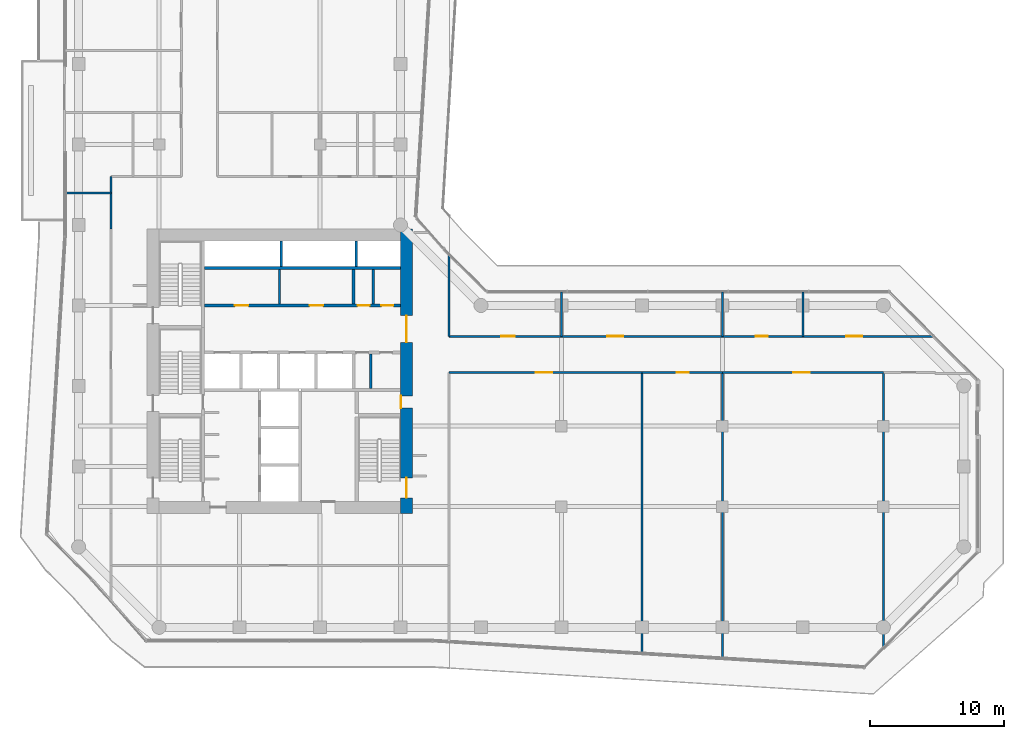
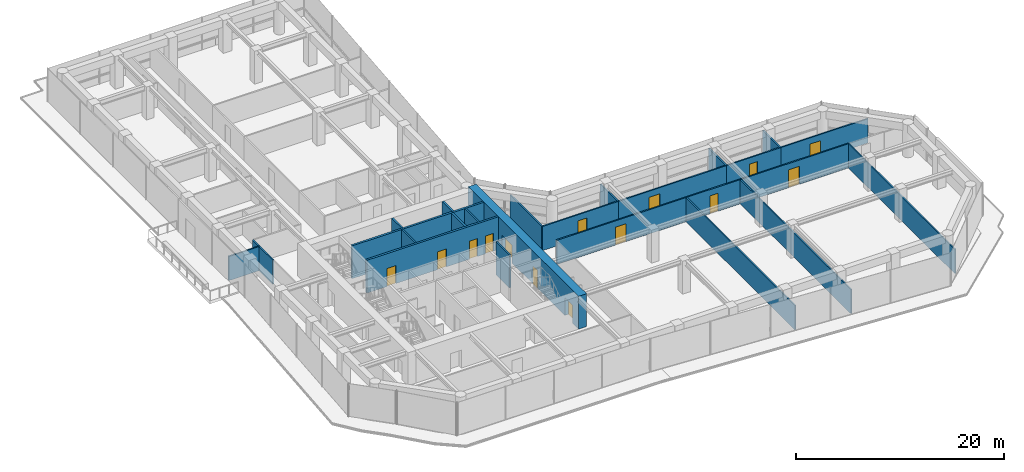
# One storey, part 22 of 27: 25 walls, 14 doors, 14 openings.
"""IFC4 building model written with IfcOpenShell, lengths in metres."""

from ifc_helpers import new_model, si_unit, direction, frame, frame_2d, origin, place, context, subcontext, project, spatial, rectangle, extrude, material, layer, layer_set, type_object, element, fill, save


model = new_model("IFC4")

# Units and contexts
model_context = context("Model", 3, precision=1e-05, world=origin(), true_north=direction((0.0, 1.0)))
body_context = subcontext(model_context, "Body", "Model", "MODEL_VIEW")
ifc_project = project(units=[si_unit("LENGTHUNIT", "METRE"), si_unit("AREAUNIT", "SQUARE_METRE"), si_unit("VOLUMEUNIT", "CUBIC_METRE"), si_unit("PLANEANGLEUNIT", "RADIAN"), si_unit("MASSUNIT", "GRAM", prefix="KILO")], contexts=[model_context])

# Site, building, storey
site_placement = place(None, origin())
site = spatial("IfcSite", under=ifc_project, at=site_placement, CompositionType="ELEMENT")
building_placement = place(site_placement, origin())
building = spatial("IfcBuilding", under=site, at=building_placement, Name="Welwitschia Terrace Campus", CompositionType="ELEMENT")
storey_placement = place(building_placement, frame((0.0, 0.0, 37.39990234375)))
storey = spatial("IfcBuildingStorey", under=building, at=storey_placement, Name="L08", CompositionType="ELEMENT", Elevation=37.39990234375)

# Walls
ifc_material_1 = material(Name="Concrete C32/40", Category="concrete")
ifc_layer_1 = layer(ifc_material_1, 0.175048828125)
ifc_layer_set_1 = layer_set([ifc_layer_1], Name="Concrete C32/40")
wall_type_1 = type_object("IfcWallType", Name="Core partition 175 Concrete C32/40", PredefinedType="PARTITIONING", material=ifc_layer_set_1)
for number, where, z_axis, x_axis, name in (
    (1, (14.97509765625, 20.10009765625, 0.0), (0.0, 0.0, 1.0), (0.0, 1.0, 0.0), "Core partition"),
    (2, (21.7900390625, 13.800048828125, 0.0), (0.0, 0.0, 1.0), (0.0, 1.0, 0.0), "Core partition"),
    (3, (21.9599609375, 20.10009765625, 0.0), (0.0, 0.0, 1.0), (0.0, 1.0, 0.0), "Core partition"),
):
    element("IfcWall", number, at=place(storey_placement, frame(where, z_axis=z_axis, x_axis=x_axis)), inside=storey, type_object=wall_type_1, Name=name, PredefinedType="PARTITIONING", context=body_context, shape_type="SweptSolid", body=[
        extrude(rectangle(XDim=2.599853515625, YDim=0.175048828125, at=frame_2d((1.2998046875, 0.0))), origin(), (0.0, 0.0, 1.0), 3.85009765625),
    ])

# Wall, openings, doors
ifc_material_2 = material(Name="Concrete C32/40", Category="concrete")
ifc_layer_2 = layer(ifc_material_2, 0.22509765625)
ifc_layer_set_2 = layer_set([ifc_layer_2], Name="Concrete C32/40")
wall_type_2 = type_object("IfcWallType", Name="Core partition 225 Concrete C32/40", PredefinedType="PARTITIONING", material=ifc_layer_set_2)
wall_1_placement = place(storey_placement, frame((24.0, 20.0, 0.0), z_axis=(0.0, 0.0, 1.0), x_axis=(-1.0, 0.0, 0.0)))
wall_1 = element("IfcWall", 4, at=wall_1_placement, inside=storey, type_object=wall_type_2, Name="Core partition", PredefinedType="PARTITIONING", context=body_context, shape_type="SweptSolid", body=[
    extrude(rectangle(XDim=14.60009765625, YDim=0.22509765625, at=frame_2d((7.300048828125, 0.0))), origin(), (0.0, 0.0, 1.0), 3.85009765625),
])
opening_1_placement = place(wall_1_placement, frame((11.35009765625, 0.0, 0.0)))
opening_1 = element("IfcOpeningElement", 5, at=opening_1_placement, cuts=wall_1, Name="Opening DR10", PredefinedType="OPENING", context=body_context, shape_type="SweptSolid", body=[
    extrude(rectangle(XDim=1.0, YDim=2.10009765625, at=frame_2d((0.5, 1.050048828125))), frame((0.0, 0.12255859375, 0.0), z_axis=(0.0, -1.0, 0.0), x_axis=(1.0, 0.0, 0.0)), (0.0, 0.0, 1.0), 0.2451171875),
])
opening_2_placement = place(wall_1_placement, frame((5.77490234375, 0.0, 0.0)))
opening_2 = element("IfcOpeningElement", 6, at=opening_2_placement, cuts=wall_1, Name="Opening DR10", PredefinedType="OPENING", context=body_context, shape_type="SweptSolid", body=[
    extrude(rectangle(XDim=1.0, YDim=2.10009765625, at=frame_2d((0.5, 1.050048828125))), frame((0.0, 0.12255859375, 0.0), z_axis=(0.0, -1.0, 0.0), x_axis=(1.0, 0.0, 0.0)), (0.0, 0.0, 1.0), 0.2451171875),
])
opening_3_placement = place(wall_1_placement, frame((2.3076171875, 0.0, 0.0)))
opening_3 = element("IfcOpeningElement", 7, at=opening_3_placement, cuts=wall_1, Name="Opening DR09", PredefinedType="OPENING", context=body_context, shape_type="SweptSolid", body=[
    extrude(rectangle(XDim=0.89990234375, YDim=2.10009765625, at=frame_2d((0.449951171875, 1.050048828125))), frame((0.0, 0.12255859375, 0.0), z_axis=(0.0, -1.0, 0.0), x_axis=(1.0, 0.0, 0.0)), (0.0, 0.0, 1.0), 0.2451171875),
])
opening_4_placement = place(wall_1_placement, frame((0.532470703125, 0.0, 0.0)))
opening_4 = element("IfcOpeningElement", 8, at=opening_4_placement, cuts=wall_1, Name="Opening DR09", PredefinedType="OPENING", context=body_context, shape_type="SweptSolid", body=[
    extrude(rectangle(XDim=0.89990234375, YDim=2.10009765625, at=frame_2d((0.449951171875, 1.050048828125))), frame((0.0, 0.12255859375, 0.0), z_axis=(0.0, -1.0, 0.0), x_axis=(1.0, 0.0, 0.0)), (0.0, 0.0, 1.0), 0.2451171875),
])
ifc_material_3 = material(Name="Steel S275", Category="steel")
door_type_1 = type_object("IfcDoorType", Name="Core door DR09", OperationType="SINGLE_SWING_LEFT", PredefinedType="DOOR", material=ifc_material_3)
door_1_placement = place(opening_3_placement, origin())
door_1 = element("IfcDoor", 9, at=door_1_placement, inside=storey, type_object=door_type_1, Name="Door EH1-D", OperationType="SINGLE_SWING_LEFT", OverallHeight=2.10009765625, OverallWidth=0.89990234375, PredefinedType="DOOR", context=body_context, shape_type="SweptSolid", body=[
    extrude(rectangle(XDim=0.89990234375, YDim=2.10009765625, at=frame_2d((0.449951171875, 1.050048828125))), frame((0.0, 0.02490234375, 0.0), z_axis=(0.0, -1.0, 0.0), x_axis=(1.0, 0.0, 0.0)), (0.0, 0.0, 1.0), 0.050048828125),
])
fill(opening_3, door_1)
door_2_placement = place(opening_4_placement, origin())
door_2 = element("IfcDoor", 10, at=door_2_placement, inside=storey, type_object=door_type_1, Name="Door EH2-D", OperationType="SINGLE_SWING_LEFT", OverallHeight=2.10009765625, OverallWidth=0.89990234375, PredefinedType="DOOR", context=body_context, shape_type="SweptSolid", body=[
    extrude(rectangle(XDim=0.89990234375, YDim=2.10009765625, at=frame_2d((0.449951171875, 1.050048828125))), frame((0.0, 0.02490234375, 0.0), z_axis=(0.0, -1.0, 0.0), x_axis=(1.0, 0.0, 0.0)), (0.0, 0.0, 1.0), 0.050048828125),
])
fill(opening_4, door_2)
ifc_material_4 = material(Name="Steel S275", Category="steel")
door_type_2 = type_object("IfcDoorType", Name="Core door DR10", OperationType="SINGLE_SWING_LEFT", PredefinedType="DOOR", material=ifc_material_4)
door_3_placement = place(opening_1_placement, origin())
door_3 = element("IfcDoor", 11, at=door_3_placement, inside=storey, type_object=door_type_2, Name="Door BAYH1-D", OperationType="SINGLE_SWING_RIGHT", OverallHeight=2.10009765625, OverallWidth=1.0, PredefinedType="DOOR", context=body_context, shape_type="SweptSolid", body=[
    extrude(rectangle(XDim=1.0, YDim=2.10009765625, at=frame_2d((0.5, 1.050048828125))), frame((0.0, 0.02490234375, 0.0), z_axis=(0.0, -1.0, 0.0), x_axis=(1.0, 0.0, 0.0)), (0.0, 0.0, 1.0), 0.050048828125),
])
fill(opening_1, door_3)
door_4_placement = place(opening_2_placement, origin())
door_4 = element("IfcDoor", 12, at=door_4_placement, inside=storey, type_object=door_type_2, Name="Door BAYH2-D", OperationType="SINGLE_SWING_LEFT", OverallHeight=2.10009765625, OverallWidth=1.0, PredefinedType="DOOR", context=body_context, shape_type="SweptSolid", body=[
    extrude(rectangle(XDim=1.0, YDim=2.10009765625, at=frame_2d((0.5, 1.050048828125))), frame((0.0, 0.02490234375, 0.0), z_axis=(0.0, -1.0, 0.0), x_axis=(1.0, 0.0, 0.0)), (0.0, 0.0, 1.0), 0.050048828125),
])
fill(opening_2, door_4)

# Walls
wall_2_placement = place(storey_placement, frame((9.39990234375, 22.800048828125, 0.0), z_axis=(0.0, 0.0, 1.0), x_axis=(1.0, 0.0, 0.0)))
element("IfcWall", 13, at=wall_2_placement, inside=storey, type_object=wall_type_2, Name="Shaft wall", PredefinedType="PARTITIONING", context=body_context, shape_type="SweptSolid", body=[
    extrude(rectangle(XDim=14.60009765625, YDim=0.22509765625, at=frame_2d((7.300048828125, 0.0))), origin(), (0.0, 0.0, 1.0), 3.85009765625),
])
wall_3_placement = place(storey_placement, frame((20.5, 20.10009765625, 0.0), z_axis=(0.0, 0.0, 1.0), x_axis=(0.0, 1.0, 0.0)))
element("IfcWall", 14, at=wall_3_placement, inside=storey, type_object=wall_type_2, Name="Core partition", PredefinedType="PARTITIONING", context=body_context, shape_type="SweptSolid", body=[
    extrude(rectangle(XDim=2.599853515625, YDim=0.22509765625, at=frame_2d((1.2998046875, 0.0))), origin(), (0.0, 0.0, 1.0), 3.85009765625),
])
ifc_material_5 = material(Name="Concrete C50/60", Category="concrete")
ifc_layer_3 = layer(ifc_material_5, 0.199951171875)
ifc_layer_set_3 = layer_set([ifc_layer_3], Name="Concrete C50/60")
wall_type_3 = type_object("IfcWallType", Name="Core wall 200 Concrete C50/60", PredefinedType="SHEAR", material=ifc_layer_set_3)
for number, where, z_axis, x_axis, name in (
    (15, (15.10009765625, 22.89990234375, 0.0), (0.0, 0.0, 1.0), (0.0, 1.0, 0.0), "Core wall"),
    (16, (20.699951171875, 22.89990234375, 0.0), (0.0, 0.0, 1.0), (0.0, 1.0, 0.0), "Core wall"),
):
    element("IfcWall", number, at=place(storey_placement, frame(where, z_axis=z_axis, x_axis=x_axis)), inside=storey, type_object=wall_type_3, Name=name, PredefinedType="SHEAR", context=body_context, shape_type="SweptSolid", body=[
        extrude(rectangle(XDim=1.900146484375, YDim=0.199951171875, at=frame_2d((0.9501953125, 0.0))), origin(), (0.0, 0.0, 1.0), 3.85009765625),
    ])

# Wall, openings, doors
ifc_material_6 = material(Name="Concrete C70/85", Category="concrete")
ifc_layer_4 = layer(ifc_material_6, 0.89990234375)
ifc_layer_set_4 = layer_set([ifc_layer_4], Name="Concrete C70/85")
wall_type_4 = type_object("IfcWallType", Name="Core wall 900 Concrete C70/85", PredefinedType="SHEAR", material=ifc_layer_set_4)
wall_4_placement = place(storey_placement, frame((24.449951171875, 25.699951171875, 0.0), z_axis=(0.0, 0.0, 1.0), x_axis=(0.0, -1.0, 0.0)))
wall_4 = element("IfcWall", 17, at=wall_4_placement, inside=storey, type_object=wall_type_4, Name="Core outer wall", PredefinedType="SHEAR", context=body_context, shape_type="SweptSolid", body=[
    extrude(rectangle(XDim=21.199951171875, YDim=0.89990234375, at=frame_2d((10.60009765625, 0.0))), origin(), (0.0, 0.0, 1.0), 3.85009765625),
])
opening_5_placement = place(wall_4_placement, frame((18.550048828125, 0.0, 0.0)))
opening_5 = element("IfcOpeningElement", 18, at=opening_5_placement, cuts=wall_4, Name="Opening DS15", PredefinedType="OPENING", context=body_context, shape_type="SweptSolid", body=[
    extrude(rectangle(XDim=1.5, YDim=2.10009765625, at=frame_2d((0.75, 1.050048828125))), frame((0.0, 0.4599609375, 0.0), z_axis=(0.0, -1.0, 0.0), x_axis=(1.0, 0.0, 0.0)), (0.0, 0.0, 1.0), 0.919921875),
])
opening_6_placement = place(wall_4_placement, frame((12.449951171875, 0.0, 0.0)))
opening_6 = element("IfcOpeningElement", 19, at=opening_6_placement, cuts=wall_4, Name="Opening DR09", PredefinedType="OPENING", context=body_context, shape_type="SweptSolid", body=[
    extrude(rectangle(XDim=0.89990234375, YDim=2.10009765625, at=frame_2d((0.449951171875, 1.050048828125))), frame((0.0, 0.4599609375, 0.0), z_axis=(0.0, -1.0, 0.0), x_axis=(1.0, 0.0, 0.0)), (0.0, 0.0, 1.0), 0.919921875),
])
opening_7_placement = place(wall_4_placement, frame((6.449951171875, 0.0, 0.0)))
opening_7 = element("IfcOpeningElement", 20, at=opening_7_placement, cuts=wall_4, Name="Opening DL20", PredefinedType="OPENING", context=body_context, shape_type="SweptSolid", body=[
    extrude(rectangle(XDim=2.0, YDim=2.10009765625, at=frame_2d((1.0, 1.050048828125))), frame((0.0, 0.4599609375, 0.0), z_axis=(0.0, -1.0, 0.0), x_axis=(1.0, 0.0, 0.0)), (0.0, 0.0, 1.0), 0.919921875),
])
ifc_material_7 = material(Name="Steel S275", Category="steel")
door_type_3 = type_object("IfcDoorType", Name="Core door DL20", OperationType="DOUBLE_DOOR_SINGLE_SWING", PredefinedType="DOOR", material=ifc_material_7)
door_5_placement = place(opening_7_placement, origin())
door_5 = element("IfcDoor", 21, at=door_5_placement, inside=storey, type_object=door_type_3, Name="Door LOBBY-out", OperationType="DOUBLE_DOOR_SINGLE_SWING", OverallHeight=2.10009765625, OverallWidth=2.0, PredefinedType="DOOR", context=body_context, shape_type="SweptSolid", body=[
    extrude(rectangle(XDim=2.0, YDim=2.10009765625, at=frame_2d((1.0, 1.050048828125))), frame((0.0, 0.02490234375, 0.0), z_axis=(0.0, -1.0, 0.0), x_axis=(1.0, 0.0, 0.0)), (0.0, 0.0, 1.0), 0.050048828125),
])
fill(opening_7, door_5)
door_6_placement = place(opening_6_placement, origin())
door_6 = element("IfcDoor", 22, at=door_6_placement, inside=storey, type_object=door_type_1, Name="Door F1B-out", OperationType="SINGLE_SWING_RIGHT", OverallHeight=2.10009765625, OverallWidth=0.89990234375, PredefinedType="DOOR", context=body_context, shape_type="SweptSolid", body=[
    extrude(rectangle(XDim=0.89990234375, YDim=2.10009765625, at=frame_2d((0.449951171875, 1.050048828125))), frame((0.0, -0.39013671875, 0.0), z_axis=(0.0, -1.0, 0.0), x_axis=(1.0, 0.0, 0.0)), (0.0, 0.0, 1.0), 0.050048828125),
])
fill(opening_6, door_6)
ifc_material_8 = material(Name="Steel S275", Category="steel")
door_type_4 = type_object("IfcDoorType", Name="Core door DS15", OperationType="DOUBLE_DOOR_SINGLE_SWING", PredefinedType="DOOR", material=ifc_material_8)
door_7_placement = place(opening_5_placement, origin())
door_7 = element("IfcDoor", 23, at=door_7_placement, inside=storey, type_object=door_type_4, Name="Door S2-out", OperationType="DOUBLE_DOOR_SINGLE_SWING", OverallHeight=2.10009765625, OverallWidth=1.5, PredefinedType="DOOR", context=body_context, shape_type="SweptSolid", body=[
    extrude(rectangle(XDim=1.5, YDim=2.10009765625, at=frame_2d((0.75, 1.050048828125))), frame((0.0, 0.02490234375, 0.0), z_axis=(0.0, -1.0, 0.0), x_axis=(1.0, 0.0, 0.0)), (0.0, 0.0, 1.0), 0.050048828125),
])
fill(opening_5, door_7)

# Walls
ifc_material_9 = material(Name="Gypsum board on steel studs", Category="steel")
ifc_layer_5 = layer(ifc_material_9, 0.14990234375)
ifc_layer_set_5 = layer_set([ifc_layer_5], Name="Gypsum board on steel studs")
wall_type_5 = type_object("IfcWallType", Name="Corridor partition 150 EI 30", PredefinedType="PARTITIONING", material=ifc_layer_set_5)
wall_5_placement = place(storey_placement, frame((-1.010009765625, 28.39990234375, 0.0), z_axis=(0.0, 0.0, 1.0), x_axis=(1.0, 0.0, 0.0)))
element("IfcWall", 24, at=wall_5_placement, inside=storey, type_object=wall_type_5, Name="Partition", PredefinedType="PARTITIONING", context=body_context, shape_type="SweptSolid", body=[
    extrude(rectangle(XDim=3.409912109375, YDim=0.14990234375, at=frame_2d((1.705078125, 0.0))), origin(), (0.0, 0.0, 1.0), 2.830078125),
])
wall_6_placement = place(storey_placement, frame((2.39990234375, 25.699951171875, 0.0), z_axis=(0.0, 0.0, 1.0), x_axis=(0.0, 1.0, 0.0)))
element("IfcWall", 25, at=wall_6_placement, inside=storey, type_object=wall_type_5, Name="Partition", PredefinedType="PARTITIONING", context=body_context, shape_type="SweptSolid", body=[
    extrude(rectangle(XDim=3.900146484375, YDim=0.14990234375, at=frame_2d((1.9501953125, 0.0))), origin(), (0.0, 0.0, 1.0), 2.830078125),
])
wall_7_placement = place(storey_placement, frame((27.60009765625, 17.699951171875, 0.0), z_axis=(0.0, 0.0, 1.0), x_axis=(0.0, 1.0, 0.0)))
element("IfcWall", 26, at=wall_7_placement, inside=storey, type_object=wall_type_5, Name="Partition", PredefinedType="PARTITIONING", context=body_context, shape_type="SweptSolid", body=[
    extrude(rectangle(XDim=6.1201171875, YDim=0.14990234375, at=frame_2d((3.06005859375, 0.0))), origin(), (0.0, 0.0, 1.0), 2.830078125),
])

# Wall, opening, door
wall_8_placement = place(storey_placement, frame((27.60009765625, 17.699951171875, 0.0), z_axis=(0.0, 0.0, 1.0), x_axis=(1.0, 0.0, 0.0)))
wall_8 = element("IfcWall", 27, at=wall_8_placement, inside=storey, type_object=wall_type_5, Name="Partition", PredefinedType="PARTITIONING", context=body_context, shape_type="SweptSolid", body=[
    extrude(rectangle(XDim=8.39990234375, YDim=0.14990234375, at=frame_2d((4.199951171875, 0.0))), origin(), (0.0, 0.0, 1.0), 2.830078125),
])
opening_8_placement = place(wall_8_placement, frame((3.89990234375, 0.0, 0.0)))
opening_8 = element("IfcOpeningElement", 28, at=opening_8_placement, cuts=wall_8, Name="Opening DI10", PredefinedType="OPENING", context=body_context, shape_type="SweptSolid", body=[
    extrude(rectangle(XDim=1.0, YDim=2.10009765625, at=frame_2d((0.5, 1.050048828125))), frame((0.0, 0.0849609375, 0.0), z_axis=(0.0, -1.0, 0.0), x_axis=(1.0, 0.0, 0.0)), (0.0, 0.0, 1.0), 0.169921875),
])
ifc_material_10 = material(Name="Timber veneered door", Category="wood")
door_type_5 = type_object("IfcDoorType", Name="Interior door DI10", OperationType="NOTDEFINED", PredefinedType="DOOR", material=ifc_material_10)
door_8_placement = place(opening_8_placement, origin())
door_8 = element("IfcDoor", 29, at=door_8_placement, inside=storey, type_object=door_type_5, Name="Door L08 201", OperationType="SINGLE_SWING_RIGHT", OverallHeight=2.10009765625, OverallWidth=1.0, PredefinedType="DOOR", context=body_context, shape_type="SweptSolid", body=[
    extrude(rectangle(XDim=1.0, YDim=2.10009765625, at=frame_2d((0.5, 1.050048828125))), frame((0.0, 0.02490234375, 0.0), z_axis=(0.0, -1.0, 0.0), x_axis=(1.0, 0.0, 0.0)), (0.0, 0.0, 1.0), 0.050048828125),
])
fill(opening_8, door_8)

# Wall
wall_9_placement = place(storey_placement, frame((36.0, 17.699951171875, 0.0), z_axis=(0.0, 0.0, 1.0), x_axis=(0.0, 1.0, 0.0)))
element("IfcWall", 30, at=wall_9_placement, inside=storey, type_object=wall_type_5, Name="Partition", PredefinedType="PARTITIONING", context=body_context, shape_type="SweptSolid", body=[
    extrude(rectangle(XDim=3.31005859375, YDim=0.14990234375, at=frame_2d((1.655029296875, 0.0))), origin(), (0.0, 0.0, 1.0), 2.830078125),
])

# Wall, opening, door
wall_10_placement = place(storey_placement, frame((36.0, 17.699951171875, 0.0), z_axis=(0.0, 0.0, 1.0), x_axis=(1.0, 0.0, 0.0)))
wall_10 = element("IfcWall", 31, at=wall_10_placement, inside=storey, type_object=wall_type_5, Name="Partition", PredefinedType="PARTITIONING", context=body_context, shape_type="SweptSolid", body=[
    extrude(rectangle(XDim=12.0, YDim=0.14990234375, at=frame_2d((6.0, 0.0))), origin(), (0.0, 0.0, 1.0), 2.830078125),
])
opening_9_placement = place(wall_10_placement, frame((3.39990234375, 0.0, 0.0)))
opening_9 = element("IfcOpeningElement", 32, at=opening_9_placement, cuts=wall_10, Name="Opening DI12", PredefinedType="OPENING", context=body_context, shape_type="SweptSolid", body=[
    extrude(rectangle(XDim=1.199951171875, YDim=2.10009765625, at=frame_2d((0.60009765625, 1.050048828125))), frame((0.0, 0.0849609375, 0.0), z_axis=(0.0, -1.0, 0.0), x_axis=(1.0, 0.0, 0.0)), (0.0, 0.0, 1.0), 0.169921875),
])
ifc_material_11 = material(Name="Timber veneered door", Category="wood")
door_type_6 = type_object("IfcDoorType", Name="Interior door DI12", OperationType="NOTDEFINED", PredefinedType="DOOR", material=ifc_material_11)
door_9_placement = place(opening_9_placement, origin())
door_9 = element("IfcDoor", 33, at=door_9_placement, inside=storey, type_object=door_type_6, Name="Door L08 202", OperationType="SINGLE_SWING_LEFT", OverallHeight=2.10009765625, OverallWidth=1.199951171875, PredefinedType="DOOR", context=body_context, shape_type="SweptSolid", body=[
    extrude(rectangle(XDim=1.199951171875, YDim=2.10009765625, at=frame_2d((0.60009765625, 1.050048828125))), frame((0.0, 0.02490234375, 0.0), z_axis=(0.0, -1.0, 0.0), x_axis=(1.0, 0.0, 0.0)), (0.0, 0.0, 1.0), 0.050048828125),
])
fill(opening_9, door_9)

# Wall
wall_11_placement = place(storey_placement, frame((42.0, -5.9599609375, 0.0), z_axis=(0.0, 0.0, 1.0), x_axis=(0.0, 1.0, 0.0)))
element("IfcWall", 34, at=wall_11_placement, inside=storey, type_object=wall_type_5, Name="Partition", PredefinedType="PARTITIONING", context=body_context, shape_type="SweptSolid", body=[
    extrude(rectangle(XDim=20.9599609375, YDim=0.14990234375, at=frame_2d((10.47998046875, 0.0))), origin(), (0.0, 0.0, 1.0), 2.830078125),
])

# Wall, opening, door
wall_12_placement = place(storey_placement, frame((42.0, 15.0, 0.0), z_axis=(0.0, 0.0, 1.0), x_axis=(-1.0, 0.0, 0.0)))
wall_12 = element("IfcWall", 35, at=wall_12_placement, inside=storey, type_object=wall_type_5, Name="Partition", PredefinedType="PARTITIONING", context=body_context, shape_type="SweptSolid", body=[
    extrude(rectangle(XDim=14.39990234375, YDim=0.14990234375, at=frame_2d((7.199951171875, 0.0))), origin(), (0.0, 0.0, 1.0), 2.830078125),
])
opening_10_placement = place(wall_12_placement, frame((6.699951171875, 0.0, 0.0)))
opening_10 = element("IfcOpeningElement", 36, at=opening_10_placement, cuts=wall_12, Name="Opening DI12", PredefinedType="OPENING", context=body_context, shape_type="SweptSolid", body=[
    extrude(rectangle(XDim=1.199951171875, YDim=2.10009765625, at=frame_2d((0.60009765625, 1.050048828125))), frame((0.0, 0.0849609375, 0.0), z_axis=(0.0, -1.0, 0.0), x_axis=(1.0, 0.0, 0.0)), (0.0, 0.0, 1.0), 0.169921875),
])
door_10_placement = place(opening_10_placement, origin())
door_10 = element("IfcDoor", 37, at=door_10_placement, inside=storey, type_object=door_type_6, Name="Door L08 203", OperationType="SINGLE_SWING_RIGHT", OverallHeight=2.10009765625, OverallWidth=1.199951171875, PredefinedType="DOOR", context=body_context, shape_type="SweptSolid", body=[
    extrude(rectangle(XDim=1.199951171875, YDim=2.10009765625, at=frame_2d((0.60009765625, 1.050048828125))), frame((0.0, 0.02490234375, 0.0), z_axis=(0.0, -1.0, 0.0), x_axis=(1.0, 0.0, 0.0)), (0.0, 0.0, 1.0), 0.050048828125),
])
fill(opening_10, door_10)

# Wall
wall_13_placement = place(storey_placement, frame((48.0, -6.330078125, 0.0), z_axis=(0.0, 0.0, 1.0), x_axis=(0.0, 1.0, 0.0)))
element("IfcWall", 38, at=wall_13_placement, inside=storey, type_object=wall_type_5, Name="Partition", PredefinedType="PARTITIONING", context=body_context, shape_type="SweptSolid", body=[
    extrude(rectangle(XDim=21.330078125, YDim=0.14990234375, at=frame_2d((10.6650390625, 0.0))), origin(), (0.0, 0.0, 1.0), 2.830078125),
])

# Wall, opening, door
wall_14_placement = place(storey_placement, frame((48.0, 15.0, 0.0), z_axis=(0.0, 0.0, 1.0), x_axis=(-1.0, 0.0, 0.0)))
wall_14 = element("IfcWall", 39, at=wall_14_placement, inside=storey, type_object=wall_type_5, Name="Partition", PredefinedType="PARTITIONING", context=body_context, shape_type="SweptSolid", body=[
    extrude(rectangle(XDim=6.0, YDim=0.14990234375, at=frame_2d((3.0, 0.0))), origin(), (0.0, 0.0, 1.0), 2.830078125),
])
opening_11_placement = place(wall_14_placement, frame((2.5, 0.0, 0.0)))
opening_11 = element("IfcOpeningElement", 40, at=opening_11_placement, cuts=wall_14, Name="Opening DI09", PredefinedType="OPENING", context=body_context, shape_type="SweptSolid", body=[
    extrude(rectangle(XDim=0.89990234375, YDim=2.10009765625, at=frame_2d((0.449951171875, 1.050048828125))), frame((0.0, 0.0849609375, 0.0), z_axis=(0.0, -1.0, 0.0), x_axis=(1.0, 0.0, 0.0)), (0.0, 0.0, 1.0), 0.169921875),
])
ifc_material_12 = material(Name="Timber veneered door", Category="wood")
door_type_7 = type_object("IfcDoorType", Name="Interior door DI09", OperationType="NOTDEFINED", PredefinedType="DOOR", material=ifc_material_12)
door_11_placement = place(opening_11_placement, origin())
door_11 = element("IfcDoor", 41, at=door_11_placement, inside=storey, type_object=door_type_7, Name="Door L08 204", OperationType="SINGLE_SWING_LEFT", OverallHeight=2.10009765625, OverallWidth=0.89990234375, PredefinedType="DOOR", context=body_context, shape_type="SweptSolid", body=[
    extrude(rectangle(XDim=0.89990234375, YDim=2.10009765625, at=frame_2d((0.449951171875, 1.050048828125))), frame((0.0, 0.02490234375, 0.0), z_axis=(0.0, -1.0, 0.0), x_axis=(1.0, 0.0, 0.0)), (0.0, 0.0, 1.0), 0.050048828125),
])
fill(opening_11, door_11)

# Wall
wall_15_placement = place(storey_placement, frame((48.0, 17.699951171875, 0.0), z_axis=(0.0, 0.0, 1.0), x_axis=(0.0, 1.0, 0.0)))
element("IfcWall", 42, at=wall_15_placement, inside=storey, type_object=wall_type_5, Name="Partition", PredefinedType="PARTITIONING", context=body_context, shape_type="SweptSolid", body=[
    extrude(rectangle(XDim=3.31005859375, YDim=0.14990234375, at=frame_2d((1.655029296875, 0.0))), origin(), (0.0, 0.0, 1.0), 2.830078125),
])

# Wall, opening, door
wall_16_placement = place(storey_placement, frame((48.0, 17.699951171875, 0.0), z_axis=(0.0, 0.0, 1.0), x_axis=(1.0, 0.0, 0.0)))
wall_16 = element("IfcWall", 43, at=wall_16_placement, inside=storey, type_object=wall_type_5, Name="Partition", PredefinedType="PARTITIONING", context=body_context, shape_type="SweptSolid", body=[
    extrude(rectangle(XDim=6.0, YDim=0.14990234375, at=frame_2d((3.0, 0.0))), origin(), (0.0, 0.0, 1.0), 2.830078125),
])
opening_12_placement = place(wall_16_placement, frame((2.5, 0.0, 0.0)))
opening_12 = element("IfcOpeningElement", 44, at=opening_12_placement, cuts=wall_16, Name="Opening DI09", PredefinedType="OPENING", context=body_context, shape_type="SweptSolid", body=[
    extrude(rectangle(XDim=0.89990234375, YDim=2.10009765625, at=frame_2d((0.449951171875, 1.050048828125))), frame((0.0, 0.0849609375, 0.0), z_axis=(0.0, -1.0, 0.0), x_axis=(1.0, 0.0, 0.0)), (0.0, 0.0, 1.0), 0.169921875),
])
door_12_placement = place(opening_12_placement, origin())
door_12 = element("IfcDoor", 45, at=door_12_placement, inside=storey, type_object=door_type_7, Name="Door L08 205", OperationType="SINGLE_SWING_RIGHT", OverallHeight=2.10009765625, OverallWidth=0.89990234375, PredefinedType="DOOR", context=body_context, shape_type="SweptSolid", body=[
    extrude(rectangle(XDim=0.89990234375, YDim=2.10009765625, at=frame_2d((0.449951171875, 1.050048828125))), frame((0.0, 0.02490234375, 0.0), z_axis=(0.0, -1.0, 0.0), x_axis=(1.0, 0.0, 0.0)), (0.0, 0.0, 1.0), 0.050048828125),
])
fill(opening_12, door_12)

# Wall
wall_17_placement = place(storey_placement, frame((54.0, 17.699951171875, 0.0), z_axis=(0.0, 0.0, 1.0), x_axis=(0.0, 1.0, 0.0)))
element("IfcWall", 46, at=wall_17_placement, inside=storey, type_object=wall_type_5, Name="Partition", PredefinedType="PARTITIONING", context=body_context, shape_type="SweptSolid", body=[
    extrude(rectangle(XDim=3.31005859375, YDim=0.14990234375, at=frame_2d((1.655029296875, 0.0))), origin(), (0.0, 0.0, 1.0), 2.830078125),
])

# Wall, opening, door
wall_18_placement = place(storey_placement, frame((54.0, 17.699951171875, 0.0), z_axis=(0.0, 0.0, 1.0), x_axis=(1.0, 0.0, 0.0)))
wall_18 = element("IfcWall", 47, at=wall_18_placement, inside=storey, type_object=wall_type_5, Name="Partition", PredefinedType="PARTITIONING", context=body_context, shape_type="SweptSolid", body=[
    extrude(rectangle(XDim=9.68310546875, YDim=0.14990234375, at=frame_2d((4.841552734375, 0.0))), origin(), (0.0, 0.0, 1.0), 2.830078125),
])
opening_13_placement = place(wall_18_placement, frame((3.219970703125, 0.0, 0.0)))
opening_13 = element("IfcOpeningElement", 48, at=opening_13_placement, cuts=wall_18, Name="Opening DI12", PredefinedType="OPENING", context=body_context, shape_type="SweptSolid", body=[
    extrude(rectangle(XDim=1.199951171875, YDim=2.10009765625, at=frame_2d((0.60009765625, 1.050048828125))), frame((0.0, 0.0849609375, 0.0), z_axis=(0.0, -1.0, 0.0), x_axis=(1.0, 0.0, 0.0)), (0.0, 0.0, 1.0), 0.169921875),
])
door_13_placement = place(opening_13_placement, origin())
door_13 = element("IfcDoor", 49, at=door_13_placement, inside=storey, type_object=door_type_6, Name="Door L08 206", OperationType="SINGLE_SWING_LEFT", OverallHeight=2.10009765625, OverallWidth=1.199951171875, PredefinedType="DOOR", context=body_context, shape_type="SweptSolid", body=[
    extrude(rectangle(XDim=1.199951171875, YDim=2.10009765625, at=frame_2d((0.60009765625, 1.050048828125))), frame((0.0, 0.02490234375, 0.0), z_axis=(0.0, -1.0, 0.0), x_axis=(1.0, 0.0, 0.0)), (0.0, 0.0, 1.0), 0.050048828125),
])
fill(opening_13, door_13)

# Wall
wall_19_placement = place(storey_placement, frame((60.0, -5.52001953125, 0.0), z_axis=(0.0, 0.0, 1.0), x_axis=(0.0, 1.0, 0.0)))
element("IfcWall", 50, at=wall_19_placement, inside=storey, type_object=wall_type_5, Name="Partition", PredefinedType="PARTITIONING", context=body_context, shape_type="SweptSolid", body=[
    extrude(rectangle(XDim=20.52001953125, YDim=0.14990234375, at=frame_2d((10.260009765625, 0.0))), origin(), (0.0, 0.0, 1.0), 2.830078125),
])

# Wall, opening, door
wall_20_placement = place(storey_placement, frame((60.0, 15.0, 0.0), z_axis=(0.0, 0.0, 1.0), x_axis=(-1.0, 0.0, 0.0)))
wall_20 = element("IfcWall", 51, at=wall_20_placement, inside=storey, type_object=wall_type_5, Name="Partition", PredefinedType="PARTITIONING", context=body_context, shape_type="SweptSolid", body=[
    extrude(rectangle(XDim=12.0, YDim=0.14990234375, at=frame_2d((6.0, 0.0))), origin(), (0.0, 0.0, 1.0), 2.830078125),
])
opening_14_placement = place(wall_20_placement, frame((5.5, 0.0, 0.0)))
opening_14 = element("IfcOpeningElement", 52, at=opening_14_placement, cuts=wall_20, Name="Opening DI12", PredefinedType="OPENING", context=body_context, shape_type="SweptSolid", body=[
    extrude(rectangle(XDim=1.199951171875, YDim=2.10009765625, at=frame_2d((0.60009765625, 1.050048828125))), frame((0.0, 0.0849609375, 0.0), z_axis=(0.0, -1.0, 0.0), x_axis=(1.0, 0.0, 0.0)), (0.0, 0.0, 1.0), 0.169921875),
])
door_14_placement = place(opening_14_placement, origin())
door_14 = element("IfcDoor", 53, at=door_14_placement, inside=storey, type_object=door_type_6, Name="Door L08 207", OperationType="SINGLE_SWING_RIGHT", OverallHeight=2.10009765625, OverallWidth=1.199951171875, PredefinedType="DOOR", context=body_context, shape_type="SweptSolid", body=[
    extrude(rectangle(XDim=1.199951171875, YDim=2.10009765625, at=frame_2d((0.60009765625, 1.050048828125))), frame((0.0, 0.02490234375, 0.0), z_axis=(0.0, -1.0, 0.0), x_axis=(1.0, 0.0, 0.0)), (0.0, 0.0, 1.0), 0.050048828125),
])
fill(opening_14, door_14)

save(model, "model.ifc")
